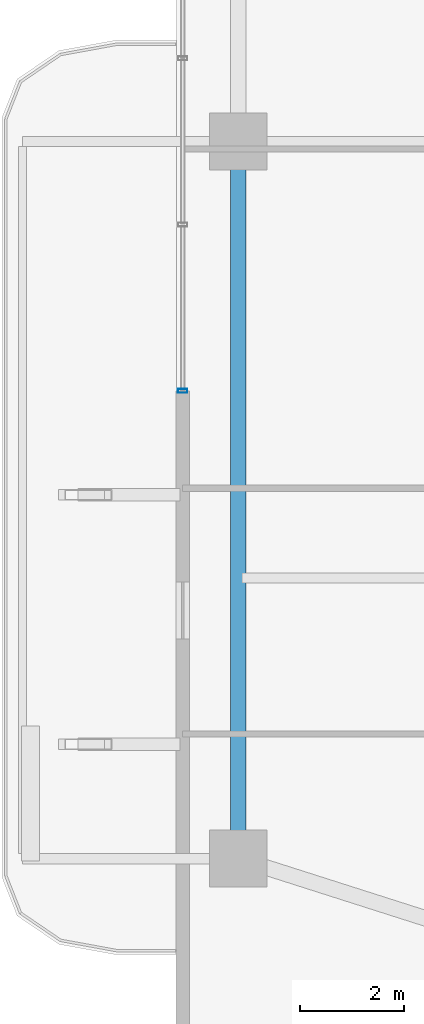
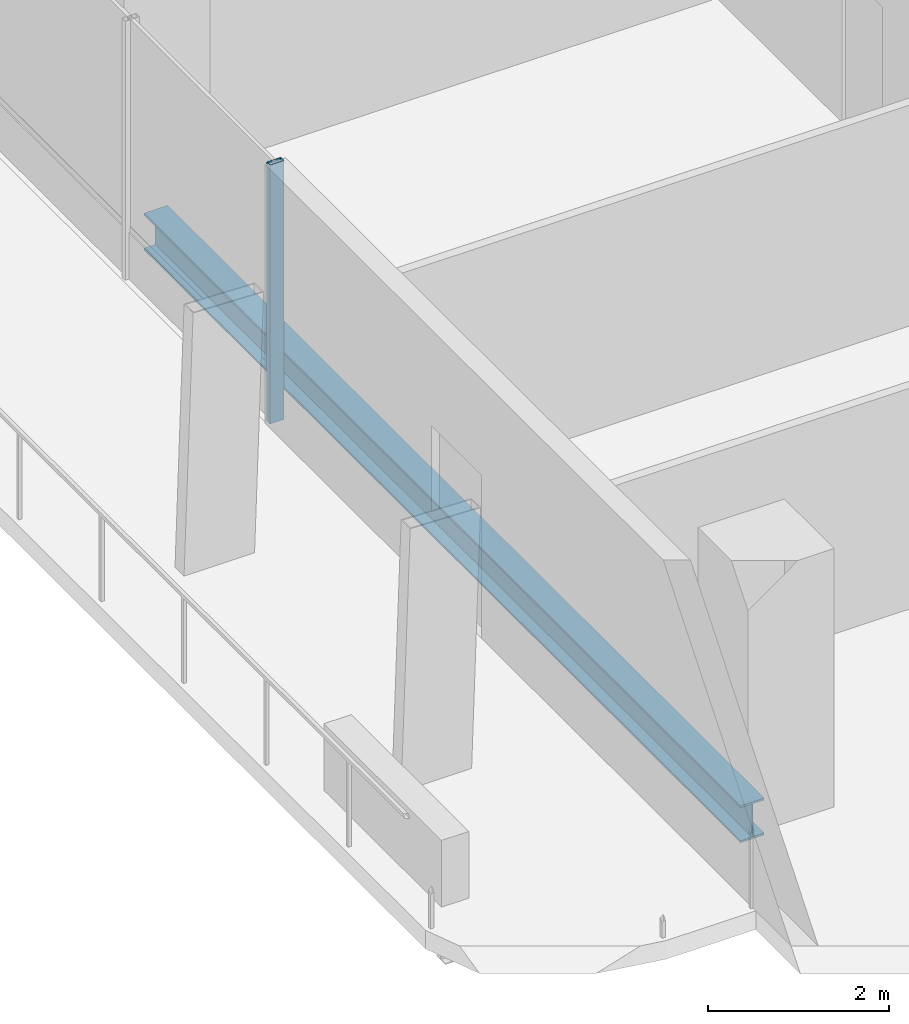
# One storey, part 4 of 25: 1 beam, 1 member, 1 element without a shape of its own.
"""IFC4 building model written with IfcOpenShell, lengths in metres."""

from ifc_helpers import new_model, si_unit, direction, frame, origin, origin_2d, place, context, subcontext, project, spatial, hollow_rectangle, i_section, extrude, material, layer, layer_set, material_profile, profile_set, type_object, element, aggregate, save


model = new_model("IFC4")

# Units and contexts
model_context = context("Model", 3, precision=1e-05, world=origin(), true_north=direction((0.0, 1.0)))
body_context = subcontext(model_context, "Body", "Model", "MODEL_VIEW")
ifc_project = project(units=[si_unit("LENGTHUNIT", "METRE"), si_unit("AREAUNIT", "SQUARE_METRE"), si_unit("VOLUMEUNIT", "CUBIC_METRE"), si_unit("PLANEANGLEUNIT", "RADIAN"), si_unit("MASSUNIT", "GRAM", prefix="KILO")], contexts=[model_context])

# Site, building, storey
site_placement = place(None, origin())
site = spatial("IfcSite", under=ifc_project, at=site_placement, CompositionType="ELEMENT")
building_placement = place(site_placement, origin())
building = spatial("IfcBuilding", under=site, at=building_placement, Name="Belovzor Exchange Tower", CompositionType="ELEMENT")
storey_placement = place(building_placement, frame((0.0, 0.0, 142.050048828125)))
storey = spatial("IfcBuildingStorey", under=building, at=storey_placement, Name="L34", CompositionType="ELEMENT", Elevation=142.050048828125)

# Curtain wall, member
ifc_material_1 = material(Name="Anodised Aluminium Framing", Category="aluminium")
ifc_layer = layer(ifc_material_1, 0.179931640625)
ifc_layer_set = layer_set([ifc_layer], Name="Anodised Aluminium Framing")
curtain_wall_type = type_object("IfcCurtainWallType", Name="Recessed Loggia Low-Iron Triple-Glazed Curtain Wall", PredefinedType="NOTDEFINED", material=ifc_layer_set)
curtain_wall_placement = place(storey_placement, origin())
curtain_wall = element("IfcCurtainWall", 1, at=curtain_wall_placement, inside=storey, type_object=curtain_wall_type, Name="CW3 Recessed Loggia Low-Iron Triple-Glazed Curtain Wall L34", PredefinedType="NOTDEFINED")
ifc_material_2 = material(Name="Steel S355", Category="steel")
ifc_material_profile_1 = material_profile(ifc_material_2, hollow_rectangle(XDim=0.074951171875, YDim=0.179931640625, WallThickness=0.0048828125, at=origin_2d()))
ifc_profile_set_1 = profile_set([ifc_material_profile_1], Name="Steel S355")
member_type = type_object("IfcMemberType", Name="Thermally Broken Curtain Wall Mullion 180x75", PredefinedType="MULLION", material=ifc_profile_set_1)
member_placement = place(storey_placement, frame((4.6298828125, 24.0, 0.0), z_axis=(0.0, 0.0, 1.0), x_axis=(0.0, 1.0, 0.0)))
member = element("IfcMember", 2, at=member_placement, type_object=member_type, Name="CW-M180 Curtain Wall Mullion 1", PredefinedType="MULLION", context=body_context, shape_type="SweptSolid", body=[
    extrude(hollow_rectangle(XDim=0.074951171875, YDim=0.179931640625, WallThickness=0.0048828125, at=origin_2d()), origin(), (0.0, 0.0, 1.0), 3.494873046875),
])
aggregate(curtain_wall, [member])

# Beam
ifc_material_3 = material(Name="Steel S355", Category="steel")
ifc_material_profile_2 = material_profile(ifc_material_3, i_section(OverallWidth=0.300048828125, OverallDepth=0.5, WebThickness=0.014404296875, FlangeThickness=0.028076171875, at=origin_2d()))
ifc_profile_set_2 = profile_set([ifc_material_profile_2], Name="Steel S355")
beam_type = type_object("IfcBeamType", Name="Zone 3 Waist Primary Girder HEB 500", PredefinedType="BEAM", material=ifc_profile_set_2)
beam_placement = place(storey_placement, frame((5.699951171875, 28.498046875, -0.505126953125), z_axis=(0.0, -1.0, 0.0), x_axis=(1.0, 0.0, 0.0)))
element("IfcBeam", 3, at=beam_placement, inside=storey, type_object=beam_type, Name="FG-Z3 Zone 3 Waist Primary Girder HEB 500", PredefinedType="BEAM", context=body_context, shape_type="SweptSolid", body=[
    extrude(i_section(OverallWidth=0.300048828125, OverallDepth=0.5, WebThickness=0.014404296875, FlangeThickness=0.028076171875, at=origin_2d()), origin(), (0.0, 0.0, 1.0), 13.195068359375),
])

save(model, "model.ifc")
